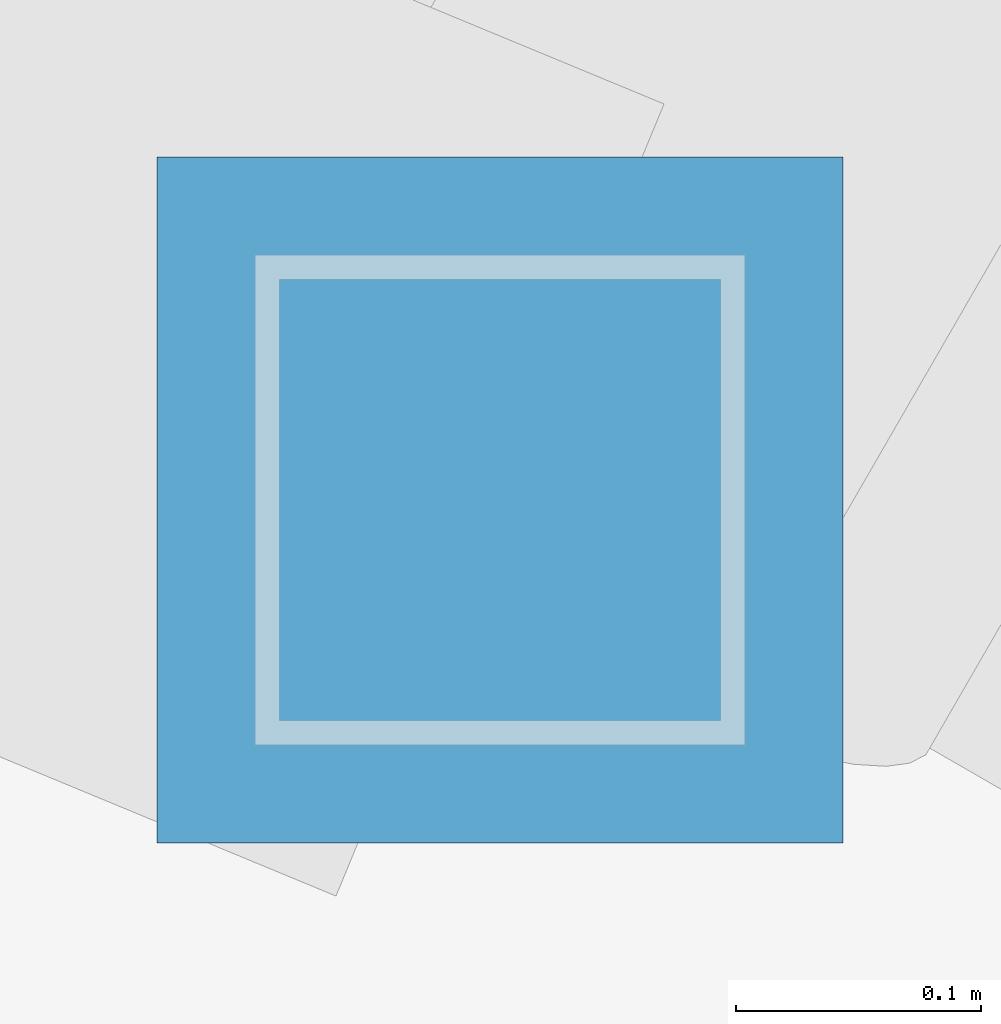
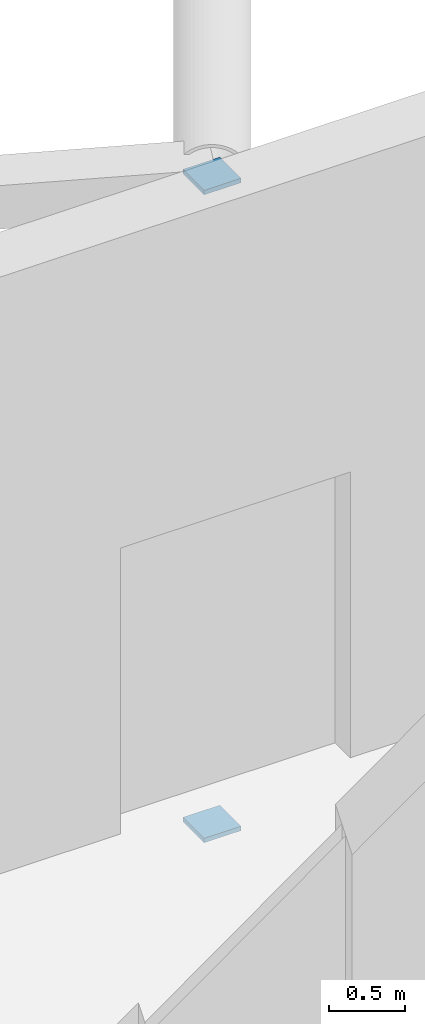
# One storey, part 149 of 167: 2 discrete accessories.
"""IFC4 building model written with IfcOpenShell, lengths in metres."""

from ifc_helpers import new_model, si_unit, direction, frame, origin, origin_2d, place, context, subcontext, project, spatial, rectangle, extrude, material, layer, layer_set, type_object, element, save


model = new_model("IFC4")

# Units and contexts
model_context = context("Model", 3, precision=1e-05, world=origin(), true_north=direction((0.0, 1.0)))
body_context = subcontext(model_context, "Body", "Model", "MODEL_VIEW")
ifc_project = project(units=[si_unit("LENGTHUNIT", "METRE"), si_unit("AREAUNIT", "SQUARE_METRE"), si_unit("VOLUMEUNIT", "CUBIC_METRE"), si_unit("PLANEANGLEUNIT", "RADIAN"), si_unit("MASSUNIT", "GRAM", prefix="KILO")], contexts=[model_context])

# Site, building, storey
site_placement = place(None, origin())
site = spatial("IfcSite", under=ifc_project, at=site_placement, CompositionType="ELEMENT")
building_placement = place(site_placement, origin())
building = spatial("IfcBuilding", under=site, at=building_placement, Name="Dornveld Trade and Exhibition Forum", CompositionType="ELEMENT")
storey_placement = place(building_placement, frame((0.0, 0.0, 16.800048828125)))
storey = spatial("IfcBuildingStorey", under=building, at=storey_placement, Name="L03", CompositionType="ELEMENT", Elevation=16.800048828125)

# Discrete accessories
ifc_material = material(Name="Steel S355J2", Category="steel")
ifc_layer = layer(ifc_material, 0.035888671875)
ifc_layer_set = layer_set([ifc_layer], Name="Steel S355J2")
discrete_accessory_type = type_object("IfcDiscreteAccessoryType", Name="ACC-CORE-EMB", PredefinedType="BRACKET", material=ifc_layer_set)
for number, where, z_axis, x_axis, name in (
    (1, (130.75, 104.815673828125, 4.43212890625), (0.0, 0.0, 1.0), (1.0, 0.0, 0.0), "Core wall cast-in steel embed plate 5"),
    (2, (130.75, 104.815673828125, -0.7802734375), (0.0, 0.0, 1.0), (1.0, 0.0, 0.0), "Core wall cast-in steel embed plate 6"),
):
    element("IfcDiscreteAccessory", number, at=place(storey_placement, frame(where, z_axis=z_axis, x_axis=x_axis)), inside=storey, type_object=discrete_accessory_type, Name=name, PredefinedType="BRACKET", context=body_context, shape_type="SweptSolid", body=[
        extrude(rectangle(XDim=0.280029296875, YDim=0.280029296875, at=origin_2d()), origin(), (0.0, 0.0, 1.0), 0.035888671875),
    ])

save(model, "model.ifc")
